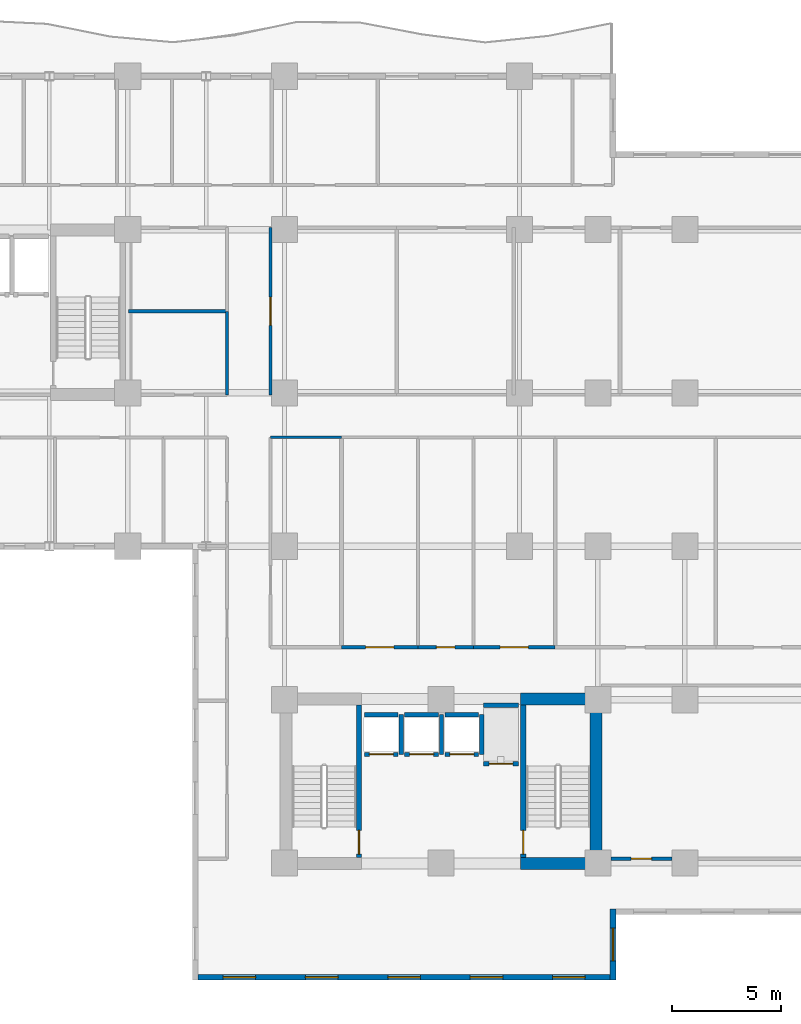
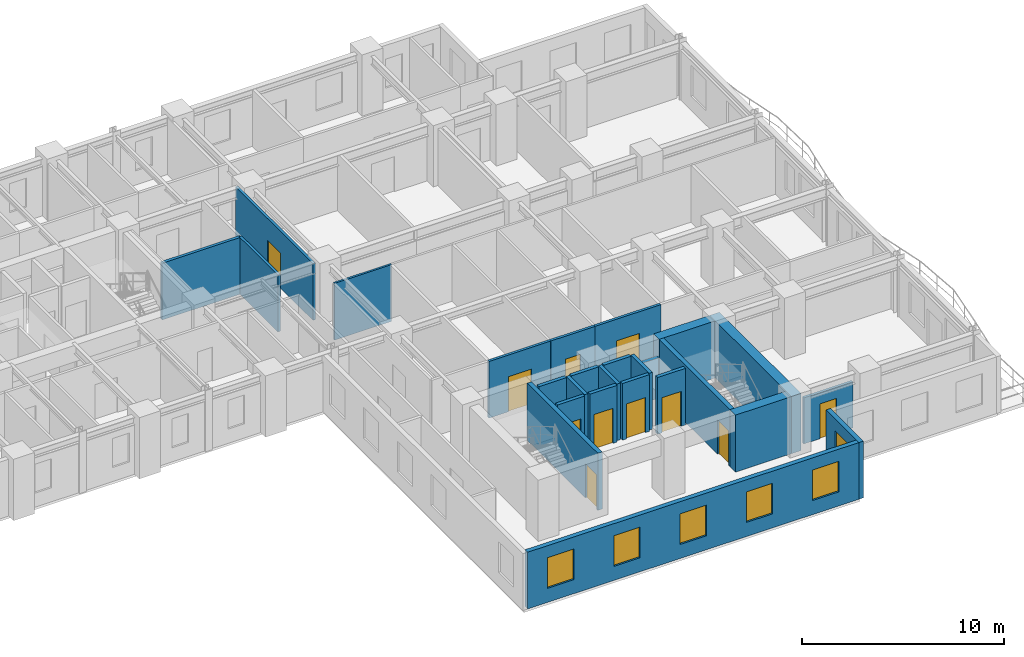
# One storey, part 10 of 18: 26 walls, 11 doors, 6 windows, 17 openings.
"""IFC4 building model written with IfcOpenShell, lengths in metres."""

import ifcopenshell
import ifcopenshell.guid

model = None  # the IFC model being written
_history = None  # IfcOwnerHistory: only IFC2X3 demands one
_inside = {}  # id of a spatial element -> (the spatial element, [elements in it])
_under = {}  # id of a project, library or spatial element -> (it, [spatial elements below it])
_declared = {}  # id of a project -> (the project, [libraries it declares])
_typed = {}  # id of a type object -> (the type object, [elements of that type])
_made_of = {}  # id of a material, layer set ... -> (it, [elements and type objects made of it])


def new_model(schema):
    """Start an empty IFC model of exactly this schema.

    Asked for "IFC4X3", IfcOpenShell would pick the latest addendum, in which some entities
    have other attributes; the version numbers below select the first issue.
    IFC2X3 requires an IfcOwnerHistory on every rooted entity: one is made here for all.
    """
    global model, _history
    if schema == "IFC4X3":
        model = ifcopenshell.file(schema_version=(4, 3, 0, 0))
    else:
        model = ifcopenshell.file(schema=schema)
    _inside.clear()
    _under.clear()
    _declared.clear()
    _typed.clear()
    _made_of.clear()
    _history = None
    if model.schema == "IFC2X3":
        org = make("IfcOrganization", Name="unknown")
        user = make(
            "IfcPersonAndOrganization",
            ThePerson=make("IfcPerson", FamilyName="unknown"),
            TheOrganization=org,
        )
        app = make(
            "IfcApplication",
            ApplicationDeveloper=org,
            Version="unknown",
            ApplicationFullName="unknown",
            ApplicationIdentifier="unknown",
        )
        _history = make(
            "IfcOwnerHistory",
            OwningUser=user,
            OwningApplication=app,
            ChangeAction="ADDED",
            CreationDate=0,
        )
    return model


def make(cls, **values):
    """One entity of the class cls with the attributes given. An attribute that is None is left unset."""
    return model.create_entity(
        cls, **{name: value for name, value in values.items() if value is not None}
    )


def rooted(cls, **values):
    """An entity with a GlobalId (a new one), such as an element, a storey or a relation."""
    return make(cls, GlobalId=ifcopenshell.guid.new(), OwnerHistory=_history, **values)


def si_unit(unit_type, name, prefix=None):
    """IfcSIUnit, for example si_unit("LENGTHUNIT", "METRE", prefix="MILLI")."""
    return make("IfcSIUnit", UnitType=unit_type, Prefix=prefix, Name=name)


def assignment(units):
    """IfcUnitAssignment: the units of a project."""
    return None if units is None else make("IfcUnitAssignment", Units=units)


def point(xyz):
    """IfcCartesianPoint."""
    return None if xyz is None else make("IfcCartesianPoint", Coordinates=xyz)


def direction(xyz):
    """IfcDirection."""
    return None if xyz is None else make("IfcDirection", DirectionRatios=xyz)


def frame(location, z_axis=None, x_axis=None):
    """IfcAxis2Placement3D, a coordinate frame: its origin and axes. An axis left out is left unset."""
    return make(
        "IfcAxis2Placement3D",
        Location=point(location),
        Axis=direction(z_axis),
        RefDirection=direction(x_axis),
    )


def frame_2d(location, x_axis=None):
    """IfcAxis2Placement2D, a coordinate frame in the plane: its origin and x axis."""
    return make(
        "IfcAxis2Placement2D", Location=point(location), RefDirection=direction(x_axis)
    )


def origin():
    """The frame at (0, 0, 0) with its axes left unset."""
    return frame((0.0, 0.0, 0.0))


def place(relative_to, where):
    """IfcLocalPlacement: puts the frame where relative to a parent placement (None: the world)."""
    return make(
        "IfcLocalPlacement", PlacementRelTo=relative_to, RelativePlacement=where
    )


def context(
    kind, dimensions, precision=None, world=None, true_north=None, identifier=None
):
    """IfcGeometricRepresentationContext, for example the 3D "Model" context."""
    return make(
        "IfcGeometricRepresentationContext",
        ContextIdentifier=identifier,
        ContextType=kind,
        CoordinateSpaceDimension=dimensions,
        Precision=precision,
        WorldCoordinateSystem=world,
        TrueNorth=true_north,
    )


def subcontext(parent, identifier, kind, view, scale=None):
    """IfcGeometricRepresentationSubContext, for example "Body" below "Model"."""
    return make(
        "IfcGeometricRepresentationSubContext",
        ContextIdentifier=identifier,
        ContextType=kind,
        ParentContext=parent,
        TargetScale=scale,
        TargetView=view,
    )


def project(units=None, contexts=None):
    """IfcProject with its units and contexts."""
    return rooted(
        "IfcProject",
        Name="project",
        RepresentationContexts=contexts,
        UnitsInContext=assignment(units),
    )


def spatial(cls, under=None, at=None, **own):
    """A site, building, storey or space (cls), placed at a placement, below another one or the project."""
    s = rooted(cls, ObjectPlacement=at, **own)
    if under is not None:
        _under.setdefault(under.id(), (under, []))[1].append(s)
    return s


def profile(cls, at=None, kind="AREA", **sizes):
    """A parametric profile (cls). Its sizes go by their IFC names, for example OverallWidth=200.0."""
    return make(cls, ProfileType=kind, Position=at, **sizes)


def rectangle(**sizes):
    """IfcRectangleProfileDef."""
    return profile("IfcRectangleProfileDef", **sizes)


def extrude(swept, where, along, depth):
    """IfcExtrudedAreaSolid: the profile swept, set in the frame where, extruded along a direction by depth."""
    return make(
        "IfcExtrudedAreaSolid",
        SweptArea=swept,
        Position=where,
        ExtrudedDirection=direction(along),
        Depth=depth,
    )


def shape(context_of_items, identifier, shape_type, items):
    """IfcShapeRepresentation: the items that make up one representation, for example the "Body"."""
    return make(
        "IfcShapeRepresentation",
        ContextOfItems=context_of_items,
        RepresentationIdentifier=identifier,
        RepresentationType=shape_type,
        Items=items,
    )


def material(Name=None, Category=None):
    """IfcMaterial."""
    return make("IfcMaterial", Name=Name, Category=Category)


def layer(
    of_material, thickness, ventilated=None, Name=None, Category=None, Priority=None
):
    """IfcMaterialLayer: one layer of a wall or slab, of a material (None: an air gap)."""
    return make(
        "IfcMaterialLayer",
        Material=of_material,
        LayerThickness=thickness,
        IsVentilated=ventilated,
        Name=Name,
        Category=Category,
        Priority=Priority,
    )


def layer_set(layers, Name=None):
    """IfcMaterialLayerSet."""
    return make("IfcMaterialLayerSet", MaterialLayers=layers, LayerSetName=Name)


def made_of(thing, what):
    """Note that an element or type object is made of a material, layer set ...; save() writes the relation."""
    if what is not None:
        _made_of.setdefault(what.id(), (what, []))[1].append(thing)
    return thing


def type_object(cls, material=None, **own):
    """A type object (cls), such as IfcWallType, which elements share."""
    return made_of(rooted(cls, **own), material)


def element(
    cls,
    number,
    at=None,
    inside=None,
    cuts=None,
    type_object=None,
    material=None,
    context=None,
    identifier="Body",
    shape_type=None,
    held_by="IfcProductDefinitionShape",
    body=None,
    shapes=None,
    **own,
):
    """One element of the class cls, such as IfcWall. Its Tag is "e" and its number.

    at: its placement. inside: the storey or other place that contains it. cuts: it is an
    opening in that element (IfcRelVoidsElement). A single representation is given by context,
    identifier, shape_type and body (its items); several are given by shapes. held_by: the class
    of the entity that holds the representations. save() writes the other relations.
    """
    e = rooted(cls, Tag="e%d" % number, ObjectPlacement=at, **own)
    if body is not None:
        shapes = [shape(context, identifier, shape_type, body)]
    if shapes is not None:
        e.Representation = make(held_by, Representations=shapes)
    if inside is not None:
        _inside.setdefault(inside.id(), (inside, []))[1].append(e)
    if cuts is not None:
        rooted(
            "IfcRelVoidsElement", RelatingBuildingElement=cuts, RelatedOpeningElement=e
        )
    if type_object is not None:
        _typed.setdefault(type_object.id(), (type_object, []))[1].append(e)
    return made_of(e, material)


def fill(opening, filler):
    """IfcRelFillsElement: the door or window that sits in an opening."""
    return rooted(
        "IfcRelFillsElement",
        RelatingOpeningElement=opening,
        RelatedBuildingElement=filler,
    )


def aggregate(whole, parts):
    """IfcRelAggregates: a whole, such as a stair, and the parts it consists of."""
    return rooted("IfcRelAggregates", RelatingObject=whole, RelatedObjects=parts)


def save(model, path):
    """Write the relations noted so far, then the file.

    IfcRelAggregates (storeys below a building ...), IfcRelContainedInSpatialStructure (elements
    in a storey), IfcRelDefinesByType, IfcRelAssociatesMaterial and IfcRelDeclares: one each for
    every whole, place, type object, material and project.
    """
    for whole, parts in _under.values():
        aggregate(whole, parts)
    for where, things in _inside.values():
        rooted(
            "IfcRelContainedInSpatialStructure",
            RelatedElements=things,
            RelatingStructure=where,
        )
    for kind, things in _typed.values():
        rooted("IfcRelDefinesByType", RelatedObjects=things, RelatingType=kind)
    for what, things in _made_of.values():
        rooted("IfcRelAssociatesMaterial", RelatedObjects=things, RelatingMaterial=what)
    for by, libraries in _declared.values():
        rooted("IfcRelDeclares", RelatingContext=by, RelatedDefinitions=libraries)
    model.write(path)


model = new_model("IFC4")

# Units and contexts
model_context = context("Model", 3, precision=1e-05, world=origin(), true_north=direction((0.0, 1.0)))
body_context = subcontext(model_context, "Body", "Model", "MODEL_VIEW")
ifc_project = project(units=[si_unit("LENGTHUNIT", "METRE"), si_unit("AREAUNIT", "SQUARE_METRE"), si_unit("VOLUMEUNIT", "CUBIC_METRE"), si_unit("PLANEANGLEUNIT", "RADIAN"), si_unit("MASSUNIT", "GRAM", prefix="KILO")], contexts=[model_context])

# Site, building, storey
site_placement = place(None, origin())
site = spatial("IfcSite", under=ifc_project, at=site_placement, CompositionType="ELEMENT")
building_placement = place(site_placement, origin())
building = spatial("IfcBuilding", under=site, at=building_placement, Name="Kaliganga Portal Commons", CompositionType="ELEMENT")
storey_placement = place(building_placement, frame((0.0, 0.0, 123.0)))
storey = spatial("IfcBuildingStorey", under=building, at=storey_placement, Name="L31", CompositionType="ELEMENT", Elevation=123.0)

# Walls
ifc_material_1 = material(Name="Concrete C60/75", Category="concrete")
ifc_layer_1 = layer(ifc_material_1, 0.550048828125)
ifc_layer_set_1 = layer_set([ifc_layer_1], Name="Concrete C60/75")
wall_type_1 = type_object("IfcWallType", Name="WL-CORE-550", PredefinedType="SHEAR", material=ifc_layer_set_1)
wall_1_placement = place(storey_placement, frame((50.324951171875, 6.75, 0.0), z_axis=(0.0, 0.0, 1.0), x_axis=(0.0, 1.0, 0.0)))
element("IfcWall", 1, at=wall_1_placement, inside=storey, type_object=wall_type_1, Name="Core B East Shear Wall L31", PredefinedType="SHEAR", context=body_context, shape_type="SweptSolid", body=[
    extrude(rectangle(XDim=8.10009765625, YDim=0.550048828125, at=frame_2d((4.050048828125, 0.0))), origin(), (0.0, 0.0, 1.0), 3.449951171875),
])
for number, where, z_axis, x_axis, name in (
    (2, (46.85009765625, 7.02490234375, 0.0), (0.0, 0.0, 1.0), (1.0, 0.0, 0.0), "Core B S-East Shear Wall L31"),
    (3, (46.85009765625, 14.574951171875, 0.0), (0.0, 0.0, 1.0), (1.0, 0.0, 0.0), "Core B N-East Shear Wall L31"),
):
    element("IfcWall", number, at=place(storey_placement, frame(where, z_axis=z_axis, x_axis=x_axis)), inside=storey, type_object=wall_type_1, Name=name, PredefinedType="SHEAR", context=body_context, shape_type="SweptSolid", body=[
        extrude(rectangle(XDim=3.199951171875, YDim=0.550048828125, at=frame_2d((1.60009765625, 0.0))), origin(), (0.0, 0.0, 1.0), 3.449951171875),
    ])

# Wall, openings, windows
ifc_material_2 = material(Name="Insulated Aluminium-Clad Spandrel Assembly", Category="aluminium")
ifc_layer_2 = layer(ifc_material_2, 0.260009765625)
ifc_layer_set_2 = layer_set([ifc_layer_2], Name="Insulated Aluminium-Clad Spandrel Assembly")
wall_type_2 = type_object("IfcWallType", Name="WL-EXT-SPAND-260", PredefinedType="STANDARD", material=ifc_layer_set_2)
wall_2_placement = place(storey_placement, frame((50.965087890625, 1.800048828125, 0.0), z_axis=(0.0, 0.0, 1.0), x_axis=(-1.0, 0.0, 0.0)))
wall_2 = element("IfcWall", 4, at=wall_2_placement, inside=storey, type_object=wall_type_2, Name="Exterior Envelope Wall L31 P1-E00-S1", PredefinedType="STANDARD", context=body_context, shape_type="SweptSolid", body=[
    extrude(rectangle(XDim=18.93017578125, YDim=0.260009765625, at=frame_2d((9.465087890625, 0.0))), origin(), (0.0, 0.0, 1.0), 3.429931640625),
])
opening_1_placement = place(wall_2_placement, frame((1.14306640625, 0.0, 0.85009765625)))
opening_1 = element("IfcOpeningElement", 5, at=opening_1_placement, cuts=wall_2, Name="Opening W-02", PredefinedType="OPENING", context=body_context, shape_type="SweptSolid", body=[
    extrude(rectangle(XDim=1.5, YDim=1.85009765625, at=frame_2d((0.75, 0.925048828125))), frame((0.0, 0.14013671875, 0.0), z_axis=(0.0, -1.0, 0.0), x_axis=(1.0, 0.0, 0.0)), (0.0, 0.0, 1.0), 0.280029296875),
])
opening_2_placement = place(wall_2_placement, frame((4.928955078125, 0.0, 0.85009765625)))
opening_2 = element("IfcOpeningElement", 6, at=opening_2_placement, cuts=wall_2, Name="Opening W-02", PredefinedType="OPENING", context=body_context, shape_type="SweptSolid", body=[
    extrude(rectangle(XDim=1.5, YDim=1.85009765625, at=frame_2d((0.75, 0.925048828125))), frame((0.0, 0.14013671875, 0.0), z_axis=(0.0, -1.0, 0.0), x_axis=(1.0, 0.0, 0.0)), (0.0, 0.0, 1.0), 0.280029296875),
])
opening_3_placement = place(wall_2_placement, frame((8.715087890625, 0.0, 0.85009765625)))
opening_3 = element("IfcOpeningElement", 7, at=opening_3_placement, cuts=wall_2, Name="Opening W-02", PredefinedType="OPENING", context=body_context, shape_type="SweptSolid", body=[
    extrude(rectangle(XDim=1.5, YDim=1.85009765625, at=frame_2d((0.75, 0.925048828125))), frame((0.0, 0.14013671875, 0.0), z_axis=(0.0, -1.0, 0.0), x_axis=(1.0, 0.0, 0.0)), (0.0, 0.0, 1.0), 0.280029296875),
])
opening_4_placement = place(wall_2_placement, frame((12.5009765625, 0.0, 0.85009765625)))
opening_4 = element("IfcOpeningElement", 8, at=opening_4_placement, cuts=wall_2, Name="Opening W-02", PredefinedType="OPENING", context=body_context, shape_type="SweptSolid", body=[
    extrude(rectangle(XDim=1.5, YDim=1.85009765625, at=frame_2d((0.75, 0.925048828125))), frame((0.0, 0.14013671875, 0.0), z_axis=(0.0, -1.0, 0.0), x_axis=(1.0, 0.0, 0.0)), (0.0, 0.0, 1.0), 0.280029296875),
])
opening_5_placement = place(wall_2_placement, frame((16.287109375, 0.0, 0.85009765625)))
opening_5 = element("IfcOpeningElement", 9, at=opening_5_placement, cuts=wall_2, Name="Opening W-02", PredefinedType="OPENING", context=body_context, shape_type="SweptSolid", body=[
    extrude(rectangle(XDim=1.5, YDim=1.85009765625, at=frame_2d((0.75, 0.925048828125))), frame((0.0, 0.14013671875, 0.0), z_axis=(0.0, -1.0, 0.0), x_axis=(1.0, 0.0, 0.0)), (0.0, 0.0, 1.0), 0.280029296875),
])
ifc_material_3 = material(Name="Thermally Broken Aluminium and Low-E Double Glazing", Category="aluminium")
window_type = type_object("IfcWindowType", Name="WIN-STD-1500", PartitioningType="DOUBLE_PANEL_VERTICAL", PredefinedType="WINDOW", material=ifc_material_3)
window_1_placement = place(opening_1_placement, origin())
window_1 = element("IfcWindow", 10, at=window_1_placement, inside=storey, type_object=window_type, Name="Facade Window L31-P1E00S1-00", OverallHeight=1.85009765625, OverallWidth=1.5, PartitioningType="SINGLE_PANEL", PredefinedType="WINDOW", context=body_context, shape_type="SweptSolid", body=[
    extrude(rectangle(XDim=1.5, YDim=1.85009765625, at=frame_2d((0.75, 0.925048828125))), frame((0.0, 0.030029296875, 0.0), z_axis=(0.0, -1.0, 0.0), x_axis=(1.0, 0.0, 0.0)), (0.0, 0.0, 1.0), 0.06005859375),
])
fill(opening_1, window_1)
window_2_placement = place(opening_2_placement, origin())
window_2 = element("IfcWindow", 11, at=window_2_placement, inside=storey, type_object=window_type, Name="Facade Window L31-P1E00S1-01", OverallHeight=1.85009765625, OverallWidth=1.5, PartitioningType="SINGLE_PANEL", PredefinedType="WINDOW", context=body_context, shape_type="SweptSolid", body=[
    extrude(rectangle(XDim=1.5, YDim=1.85009765625, at=frame_2d((0.75, 0.925048828125))), frame((0.0, 0.030029296875, 0.0), z_axis=(0.0, -1.0, 0.0), x_axis=(1.0, 0.0, 0.0)), (0.0, 0.0, 1.0), 0.06005859375),
])
fill(opening_2, window_2)
window_3_placement = place(opening_3_placement, origin())
window_3 = element("IfcWindow", 12, at=window_3_placement, inside=storey, type_object=window_type, Name="Facade Window L31-P1E00S1-02", OverallHeight=1.85009765625, OverallWidth=1.5, PartitioningType="SINGLE_PANEL", PredefinedType="WINDOW", context=body_context, shape_type="SweptSolid", body=[
    extrude(rectangle(XDim=1.5, YDim=1.85009765625, at=frame_2d((0.75, 0.925048828125))), frame((0.0, 0.030029296875, 0.0), z_axis=(0.0, -1.0, 0.0), x_axis=(1.0, 0.0, 0.0)), (0.0, 0.0, 1.0), 0.06005859375),
])
fill(opening_3, window_3)
window_4_placement = place(opening_4_placement, origin())
window_4 = element("IfcWindow", 13, at=window_4_placement, inside=storey, type_object=window_type, Name="Facade Window L31-P1E00S1-03", OverallHeight=1.85009765625, OverallWidth=1.5, PartitioningType="SINGLE_PANEL", PredefinedType="WINDOW", context=body_context, shape_type="SweptSolid", body=[
    extrude(rectangle(XDim=1.5, YDim=1.85009765625, at=frame_2d((0.75, 0.925048828125))), frame((0.0, 0.030029296875, 0.0), z_axis=(0.0, -1.0, 0.0), x_axis=(1.0, 0.0, 0.0)), (0.0, 0.0, 1.0), 0.06005859375),
])
fill(opening_4, window_4)
window_5_placement = place(opening_5_placement, origin())
window_5 = element("IfcWindow", 14, at=window_5_placement, inside=storey, type_object=window_type, Name="Facade Window L31-P1E00S1-04", OverallHeight=1.85009765625, OverallWidth=1.5, PartitioningType="SINGLE_PANEL", PredefinedType="WINDOW", context=body_context, shape_type="SweptSolid", body=[
    extrude(rectangle(XDim=1.5, YDim=1.85009765625, at=frame_2d((0.75, 0.925048828125))), frame((0.0, 0.030029296875, 0.0), z_axis=(0.0, -1.0, 0.0), x_axis=(1.0, 0.0, 0.0)), (0.0, 0.0, 1.0), 0.06005859375),
])
fill(opening_5, window_5)

# Wall, opening, window
wall_3_placement = place(storey_placement, frame((51.10009765625, 4.929931640625, 0.0), z_axis=(0.0, 0.0, 1.0), x_axis=(0.0, -1.0, 0.0)))
wall_3 = element("IfcWall", 15, at=wall_3_placement, inside=storey, type_object=wall_type_2, Name="Exterior Envelope Wall L31 P1-E01-S1", PredefinedType="STANDARD", context=body_context, shape_type="SweptSolid", body=[
    extrude(rectangle(XDim=3.260009765625, YDim=0.260009765625, at=frame_2d((1.6298828125, 0.0))), origin(), (0.0, 0.0, 1.0), 3.429931640625),
])
opening_6_placement = place(wall_3_placement, frame((0.8798828125, 0.0, 0.85009765625)))
opening_6 = element("IfcOpeningElement", 16, at=opening_6_placement, cuts=wall_3, Name="Opening W-02", PredefinedType="OPENING", context=body_context, shape_type="SweptSolid", body=[
    extrude(rectangle(XDim=1.5, YDim=1.85009765625, at=frame_2d((0.75, 0.925048828125))), frame((0.0, 0.14013671875, 0.0), z_axis=(0.0, -1.0, 0.0), x_axis=(1.0, 0.0, 0.0)), (0.0, 0.0, 1.0), 0.280029296875),
])
window_6_placement = place(opening_6_placement, origin())
window_6 = element("IfcWindow", 17, at=window_6_placement, inside=storey, type_object=window_type, Name="Facade Window L31-P1E01S1-00", OverallHeight=1.85009765625, OverallWidth=1.5, PartitioningType="SINGLE_PANEL", PredefinedType="WINDOW", context=body_context, shape_type="SweptSolid", body=[
    extrude(rectangle(XDim=1.5, YDim=1.85009765625, at=frame_2d((0.75, 0.925048828125))), frame((0.0, 0.030029296875, 0.0), z_axis=(0.0, -1.0, 0.0), x_axis=(1.0, 0.0, 0.0)), (0.0, 0.0, 1.0), 0.06005859375),
])
fill(opening_6, window_6)

# Wall, opening, door
ifc_material_4 = material(Name="Fire-Rated Gypsum Board on Steel Stud", Category="steel")
ifc_layer_3 = layer(ifc_material_4, 0.14990234375)
ifc_layer_set_3 = layer_set([ifc_layer_3], Name="Fire-Rated Gypsum Board on Steel Stud")
wall_type_3 = type_object("IfcWallType", Name="WL-PART-CORR-150", PredefinedType="PARTITIONING", material=ifc_layer_set_3)
wall_4_placement = place(storey_placement, frame((51.0, 7.239990234375, 0.0), z_axis=(0.0, 0.0, 1.0), x_axis=(1.0, 0.0, 0.0)))
wall_4 = element("IfcWall", 18, at=wall_4_placement, inside=storey, type_object=wall_type_3, Name="Interior Partition L31-001", PredefinedType="PARTITIONING", context=body_context, shape_type="SweptSolid", body=[
    extrude(rectangle(XDim=2.800048828125, YDim=0.14990234375, at=frame_2d((1.39990234375, 0.0))), origin(), (0.0, 0.0, 1.0), 2.780029296875),
])
opening_7_placement = place(wall_4_placement, frame((0.925048828125, 0.0, 0.0)))
opening_7 = element("IfcOpeningElement", 19, at=opening_7_placement, cuts=wall_4, Name="Opening UD-01", PredefinedType="OPENING", context=body_context, shape_type="SweptSolid", body=[
    extrude(rectangle(XDim=0.949951171875, YDim=2.10009765625, at=frame_2d((0.47509765625, 1.050048828125))), frame((0.0, 0.0849609375, 0.0), z_axis=(0.0, -1.0, 0.0), x_axis=(1.0, 0.0, 0.0)), (0.0, 0.0, 1.0), 0.169921875),
])
ifc_material_5 = material(Name="Solid-Core Timber Acoustic Fire Door", Category="wood")
door_type_1 = type_object("IfcDoorType", Name="DR-UNIT-950", OperationType="NOTDEFINED", PredefinedType="DOOR", material=ifc_material_5)
door_1_placement = place(opening_7_placement, origin())
door_1 = element("IfcDoor", 20, at=door_1_placement, inside=storey, type_object=door_type_1, Name="Interior Door L31-BE01", OperationType="SINGLE_SWING_LEFT", OverallHeight=2.10009765625, OverallWidth=0.949951171875, PredefinedType="DOOR", context=body_context, shape_type="SweptSolid", body=[
    extrude(rectangle(XDim=0.949951171875, YDim=2.10009765625, at=frame_2d((0.47509765625, 1.050048828125))), frame((0.0, 0.02490234375, 0.0), z_axis=(0.0, -1.0, 0.0), x_axis=(1.0, 0.0, 0.0)), (0.0, 0.0, 1.0), 0.050048828125),
])
fill(opening_7, door_1)

wall_5_placement = place(storey_placement, frame((35.360107421875, 28.56005859375, 0.0), z_axis=(0.0, 0.0, 1.0), x_axis=(0.0, 1.0, 0.0)))
wall_5 = element("IfcWall", 21, at=wall_5_placement, inside=storey, type_object=wall_type_3, Name="Interior Partition L31-008", PredefinedType="PARTITIONING", context=body_context, shape_type="SweptSolid", body=[
    extrude(rectangle(XDim=7.679931640625, YDim=0.14990234375, at=frame_2d((3.83984375, 0.0))), origin(), (0.0, 0.0, 1.0), 3.429931640625),
])
opening_8_placement = place(wall_5_placement, frame((3.18994140625, 0.0, 0.0)))
opening_8 = element("IfcOpeningElement", 22, at=opening_8_placement, cuts=wall_5, Name="Opening RD-03", PredefinedType="OPENING", context=body_context, shape_type="SweptSolid", body=[
    extrude(rectangle(XDim=1.300048828125, YDim=2.1201171875, at=frame_2d((0.64990234375, 1.06005859375))), frame((0.0, 0.0849609375, 0.0), z_axis=(0.0, -1.0, 0.0), x_axis=(1.0, 0.0, 0.0)), (0.0, 0.0, 1.0), 0.169921875),
])
ifc_material_6 = material(Name="Glazed Timber Seminar Vision Door", Category="wood")
door_type_2 = type_object("IfcDoorType", Name="DR-STUDY-1300", OperationType="DOUBLE_DOOR_SINGLE_SWING", PredefinedType="DOOR", material=ifc_material_6)
door_2_placement = place(opening_8_placement, origin())
door_2 = element("IfcDoor", 23, at=door_2_placement, inside=storey, type_object=door_type_2, Name="Interior Door L31-BK01", OperationType="DOUBLE_DOOR_SINGLE_SWING", OverallHeight=2.1201171875, OverallWidth=1.300048828125, PredefinedType="DOOR", context=body_context, shape_type="SweptSolid", body=[
    extrude(rectangle(XDim=1.300048828125, YDim=2.1201171875, at=frame_2d((0.64990234375, 1.06005859375))), frame((0.0, 0.02490234375, 0.0), z_axis=(0.0, -1.0, 0.0), x_axis=(1.0, 0.0, 0.0)), (0.0, 0.0, 1.0), 0.050048828125),
])
fill(opening_8, door_2)

# Wall
wall_6_placement = place(storey_placement, frame((33.360107421875, 28.56005859375, 0.0), z_axis=(0.0, 0.0, 1.0), x_axis=(0.0, 1.0, 0.0)))
element("IfcWall", 24, at=wall_6_placement, inside=storey, type_object=wall_type_3, Name="Interior Partition L31-029", PredefinedType="PARTITIONING", context=body_context, shape_type="SweptSolid", body=[
    extrude(rectangle(XDim=3.83984375, YDim=0.14990234375, at=frame_2d((1.919921875, 0.0))), origin(), (0.0, 0.0, 1.0), 3.429931640625),
])

# Wall, opening, door
wall_7_placement = place(storey_placement, frame((44.679931640625, 16.9599609375, 0.0), z_axis=(0.0, 0.0, 1.0), x_axis=(1.0, 0.0, 0.0)))
wall_7 = element("IfcWall", 25, at=wall_7_placement, inside=storey, type_object=wall_type_3, Name="Interior Partition L31-030", PredefinedType="PARTITIONING", context=body_context, shape_type="SweptSolid", body=[
    extrude(rectangle(XDim=3.760009765625, YDim=0.14990234375, at=frame_2d((1.8798828125, 0.0))), origin(), (0.0, 0.0, 1.0), 3.429931640625),
])
opening_9_placement = place(wall_7_placement, frame((1.22998046875, 0.0, 0.0)))
opening_9 = element("IfcOpeningElement", 26, at=opening_9_placement, cuts=wall_7, Name="Opening RD-03", PredefinedType="OPENING", context=body_context, shape_type="SweptSolid", body=[
    extrude(rectangle(XDim=1.300048828125, YDim=2.1201171875, at=frame_2d((0.64990234375, 1.06005859375))), frame((0.0, 0.0849609375, 0.0), z_axis=(0.0, -1.0, 0.0), x_axis=(1.0, 0.0, 0.0)), (0.0, 0.0, 1.0), 0.169921875),
])
door_3_placement = place(opening_9_placement, origin())
door_3 = element("IfcDoor", 27, at=door_3_placement, inside=storey, type_object=door_type_2, Name="Interior Door L31-BM04", OperationType="DOUBLE_DOOR_SINGLE_SWING", OverallHeight=2.1201171875, OverallWidth=1.300048828125, PredefinedType="DOOR", context=body_context, shape_type="SweptSolid", body=[
    extrude(rectangle(XDim=1.300048828125, YDim=2.1201171875, at=frame_2d((0.64990234375, 1.06005859375))), frame((0.0, 0.02490234375, 0.0), z_axis=(0.0, -1.0, 0.0), x_axis=(1.0, 0.0, 0.0)), (0.0, 0.0, 1.0), 0.050048828125),
])
fill(opening_9, door_3)

wall_8_placement = place(storey_placement, frame((38.6201171875, 16.9599609375, 0.0), z_axis=(0.0, 0.0, 1.0), x_axis=(1.0, 0.0, 0.0)))
wall_8 = element("IfcWall", 28, at=wall_8_placement, inside=storey, type_object=wall_type_3, Name="Interior Partition L31-032", PredefinedType="PARTITIONING", context=body_context, shape_type="SweptSolid", body=[
    extrude(rectangle(XDim=3.519775390625, YDim=0.14990234375, at=frame_2d((1.759765625, 0.0))), origin(), (0.0, 0.0, 1.0), 3.429931640625),
])
opening_10_placement = place(wall_8_placement, frame((1.110107421875, 0.0, 0.0)))
opening_10 = element("IfcOpeningElement", 29, at=opening_10_placement, cuts=wall_8, Name="Opening RD-03", PredefinedType="OPENING", context=body_context, shape_type="SweptSolid", body=[
    extrude(rectangle(XDim=1.300048828125, YDim=2.1201171875, at=frame_2d((0.64990234375, 1.06005859375))), frame((0.0, 0.0849609375, 0.0), z_axis=(0.0, -1.0, 0.0), x_axis=(1.0, 0.0, 0.0)), (0.0, 0.0, 1.0), 0.169921875),
])
door_4_placement = place(opening_10_placement, origin())
door_4 = element("IfcDoor", 30, at=door_4_placement, inside=storey, type_object=door_type_2, Name="Interior Door L31-BM02", OperationType="DOUBLE_DOOR_SINGLE_SWING", OverallHeight=2.1201171875, OverallWidth=1.300048828125, PredefinedType="DOOR", context=body_context, shape_type="SweptSolid", body=[
    extrude(rectangle(XDim=1.300048828125, YDim=2.1201171875, at=frame_2d((0.64990234375, 1.06005859375))), frame((0.0, 0.02490234375, 0.0), z_axis=(0.0, -1.0, 0.0), x_axis=(1.0, 0.0, 0.0)), (0.0, 0.0, 1.0), 0.050048828125),
])
fill(opening_10, door_4)

wall_9_placement = place(storey_placement, frame((42.139892578125, 16.9599609375, 0.0), z_axis=(0.0, 0.0, 1.0), x_axis=(1.0, 0.0, 0.0)))
wall_9 = element("IfcWall", 31, at=wall_9_placement, inside=storey, type_object=wall_type_3, Name="Interior Partition L31-037", PredefinedType="PARTITIONING", context=body_context, shape_type="SweptSolid", body=[
    extrude(rectangle(XDim=2.5400390625, YDim=0.14990234375, at=frame_2d((1.27001953125, 0.0))), origin(), (0.0, 0.0, 1.0), 3.429931640625),
])
opening_11_placement = place(wall_9_placement, frame((0.844970703125, 0.0, 0.0)))
opening_11 = element("IfcOpeningElement", 32, at=opening_11_placement, cuts=wall_9, Name="Opening WD-01", PredefinedType="OPENING", context=body_context, shape_type="SweptSolid", body=[
    extrude(rectangle(XDim=0.85009765625, YDim=2.0400390625, at=frame_2d((0.425048828125, 1.02001953125))), frame((0.0, 0.0849609375, 0.0), z_axis=(0.0, -1.0, 0.0), x_axis=(1.0, 0.0, 0.0)), (0.0, 0.0, 1.0), 0.169921875),
])
ifc_material_7 = material(Name="Moisture-Resistant Laminate Timber Door", Category="wood")
door_type_3 = type_object("IfcDoorType", Name="DR-WET-850", OperationType="NOTDEFINED", PredefinedType="DOOR", material=ifc_material_7)
door_5_placement = place(opening_11_placement, origin())
door_5 = element("IfcDoor", 33, at=door_5_placement, inside=storey, type_object=door_type_3, Name="Interior Door L31-BM03", OperationType="SINGLE_SWING_RIGHT", OverallHeight=2.0400390625, OverallWidth=0.85009765625, PredefinedType="DOOR", context=body_context, shape_type="SweptSolid", body=[
    extrude(rectangle(XDim=0.85009765625, YDim=2.0400390625, at=frame_2d((0.425048828125, 1.02001953125))), frame((0.0, 0.02490234375, 0.0), z_axis=(0.0, -1.0, 0.0), x_axis=(1.0, 0.0, 0.0)), (0.0, 0.0, 1.0), 0.050048828125),
])
fill(opening_11, door_5)

# Walls
ifc_material_8 = material(Name="Moisture-Resistant Gypsum Partition", Category="gypsum")
ifc_layer_4 = layer(ifc_material_8, 0.114990234375)
ifc_layer_set_4 = layer_set([ifc_layer_4], Name="Moisture-Resistant Gypsum Partition")
wall_type_4 = type_object("IfcWallType", Name="WL-PART-ROOM-115", PredefinedType="PARTITIONING", material=ifc_layer_set_4)
wall_10_placement = place(storey_placement, frame((35.360107421875, 26.60009765625, 0.0), z_axis=(0.0, 0.0, 1.0), x_axis=(1.0, 0.0, 0.0)))
element("IfcWall", 34, at=wall_10_placement, inside=storey, type_object=wall_type_4, Name="Interior Partition L31-078", PredefinedType="PARTITIONING", context=body_context, shape_type="SweptSolid", body=[
    extrude(rectangle(XDim=3.260009765625, YDim=0.114990234375, at=frame_2d((1.6298828125, 0.0))), origin(), (0.0, 0.0, 1.0), 3.429931640625),
])
ifc_material_9 = material(Name="Twin-Stud Acoustic Gypsum Partition", Category="gypsum")
ifc_layer_5 = layer(ifc_material_9, 0.1650390625)
ifc_layer_set_5 = layer_set([ifc_layer_5], Name="Twin-Stud Acoustic Gypsum Partition")
wall_type_5 = type_object("IfcWallType", Name="WL-PART-UNIT-165", PredefinedType="PARTITIONING", material=ifc_layer_set_5)
wall_11_placement = place(storey_placement, frame((28.840087890625, 32.39990234375, 0.0), z_axis=(0.0, 0.0, 1.0), x_axis=(1.0, 0.0, 0.0)))
element("IfcWall", 35, at=wall_11_placement, inside=storey, type_object=wall_type_5, Name="Interior Partition L31-074", PredefinedType="PARTITIONING", context=body_context, shape_type="SweptSolid", body=[
    extrude(rectangle(XDim=4.52001953125, YDim=0.1650390625, at=frame_2d((2.260009765625, 0.0))), origin(), (0.0, 0.0, 1.0), 3.429931640625),
])

# Wall, opening, door
ifc_material_10 = material(Name="Fire-Rated Shaftwall Masonry Assembly", Category="masonry")
ifc_layer_6 = layer(ifc_material_10, 0.199951171875)
ifc_layer_set_6 = layer_set([ifc_layer_6], Name="Fire-Rated Shaftwall Masonry Assembly")
wall_type_6 = type_object("IfcWallType", Name="WL-SHAFT-200", PredefinedType="PARTITIONING", material=ifc_layer_set_6)
wall_12_placement = place(storey_placement, frame((39.675048828125, 12.034912109375, 0.0), z_axis=(0.0, 0.0, 1.0), x_axis=(1.0, 0.0, 0.0)))
wall_12 = element("IfcWall", 36, at=wall_12_placement, inside=storey, type_object=wall_type_6, Name="Lift PL-B1 Hoistway Shaft Wall L31-S", PredefinedType="PARTITIONING", context=body_context, shape_type="SweptSolid", body=[
    extrude(rectangle(XDim=1.550048828125, YDim=0.199951171875, at=frame_2d((0.77490234375, 0.0))), origin(), (0.0, 0.0, 1.0), 3.429931640625),
])
opening_12_placement = place(wall_12_placement, frame((0.22509765625, 0.0, 0.0)))
opening_12 = element("IfcOpeningElement", 37, at=opening_12_placement, cuts=wall_12, Name="Opening LD-01", PredefinedType="OPENING", context=body_context, shape_type="SweptSolid", body=[
    extrude(rectangle(XDim=1.10009765625, YDim=2.1201171875, at=frame_2d((0.550048828125, 1.06005859375))), frame((0.0, 0.10986328125, 0.0), z_axis=(0.0, -1.0, 0.0), x_axis=(1.0, 0.0, 0.0)), (0.0, 0.0, 1.0), 0.219970703125),
])
ifc_material_11 = material(Name="Brushed Stainless Steel 316 Lift Landing Door", Category="steel")
door_type_4 = type_object("IfcDoorType", Name="DR-LIFT-1100", OperationType="SLIDING_TO_LEFT", PredefinedType="DOOR", material=ifc_material_11)
door_6_placement = place(opening_12_placement, origin())
door_6 = element("IfcDoor", 38, at=door_6_placement, inside=storey, type_object=door_type_4, Name="Lift PL-B1 Sliding Landing Door L31", OperationType="SLIDING_TO_LEFT", OverallHeight=2.1201171875, OverallWidth=1.10009765625, PredefinedType="DOOR", context=body_context, shape_type="SweptSolid", body=[
    extrude(rectangle(XDim=1.10009765625, YDim=2.1201171875, at=frame_2d((0.550048828125, 1.06005859375))), frame((0.0, 0.02490234375, 0.0), z_axis=(0.0, -1.0, 0.0), x_axis=(1.0, 0.0, 0.0)), (0.0, 0.0, 1.0), 0.050048828125),
])
fill(opening_12, door_6)

# Walls
wall_13_placement = place(storey_placement, frame((39.675048828125, 13.864990234375, 0.0), z_axis=(0.0, 0.0, 1.0), x_axis=(1.0, 0.0, 0.0)))
element("IfcWall", 39, at=wall_13_placement, inside=storey, type_object=wall_type_6, Name="Lift PL-B1 Hoistway Shaft Wall L31-N", PredefinedType="PARTITIONING", context=body_context, shape_type="SweptSolid", body=[
    extrude(rectangle(XDim=1.550048828125, YDim=0.199951171875, at=frame_2d((0.77490234375, 0.0))), origin(), (0.0, 0.0, 1.0), 3.429931640625),
])
wall_14_placement = place(storey_placement, frame((41.364990234375, 12.034912109375, 0.0), z_axis=(0.0, 0.0, 1.0), x_axis=(0.0, 1.0, 0.0)))
element("IfcWall", 40, at=wall_14_placement, inside=storey, type_object=wall_type_6, Name="Lift PL-B1 Hoistway Shaft Wall L31-E", PredefinedType="PARTITIONING", context=body_context, shape_type="SweptSolid", body=[
    extrude(rectangle(XDim=1.830078125, YDim=0.199951171875, at=frame_2d((0.9150390625, 0.0))), origin(), (0.0, 0.0, 1.0), 3.429931640625),
])

# Wall, opening, door
wall_15_placement = place(storey_placement, frame((41.52490234375, 12.034912109375, 0.0), z_axis=(0.0, 0.0, 1.0), x_axis=(1.0, 0.0, 0.0)))
wall_15 = element("IfcWall", 41, at=wall_15_placement, inside=storey, type_object=wall_type_6, Name="Lift PL-B2 Hoistway Shaft Wall L31-S", PredefinedType="PARTITIONING", context=body_context, shape_type="SweptSolid", body=[
    extrude(rectangle(XDim=1.550048828125, YDim=0.199951171875, at=frame_2d((0.77490234375, 0.0))), origin(), (0.0, 0.0, 1.0), 3.429931640625),
])
opening_13_placement = place(wall_15_placement, frame((0.22509765625, 0.0, 0.0)))
opening_13 = element("IfcOpeningElement", 42, at=opening_13_placement, cuts=wall_15, Name="Opening LD-01", PredefinedType="OPENING", context=body_context, shape_type="SweptSolid", body=[
    extrude(rectangle(XDim=1.10009765625, YDim=2.1201171875, at=frame_2d((0.550048828125, 1.06005859375))), frame((0.0, 0.10986328125, 0.0), z_axis=(0.0, -1.0, 0.0), x_axis=(1.0, 0.0, 0.0)), (0.0, 0.0, 1.0), 0.219970703125),
])
door_7_placement = place(opening_13_placement, origin())
door_7 = element("IfcDoor", 43, at=door_7_placement, inside=storey, type_object=door_type_4, Name="Lift PL-B2 Sliding Landing Door L31", OperationType="SLIDING_TO_LEFT", OverallHeight=2.1201171875, OverallWidth=1.10009765625, PredefinedType="DOOR", context=body_context, shape_type="SweptSolid", body=[
    extrude(rectangle(XDim=1.10009765625, YDim=2.1201171875, at=frame_2d((0.550048828125, 1.06005859375))), frame((0.0, 0.02490234375, 0.0), z_axis=(0.0, -1.0, 0.0), x_axis=(1.0, 0.0, 0.0)), (0.0, 0.0, 1.0), 0.050048828125),
])
fill(opening_13, door_7)

# Walls
wall_16_placement = place(storey_placement, frame((41.52490234375, 13.864990234375, 0.0), z_axis=(0.0, 0.0, 1.0), x_axis=(1.0, 0.0, 0.0)))
element("IfcWall", 44, at=wall_16_placement, inside=storey, type_object=wall_type_6, Name="Lift PL-B2 Hoistway Shaft Wall L31-N", PredefinedType="PARTITIONING", context=body_context, shape_type="SweptSolid", body=[
    extrude(rectangle(XDim=1.550048828125, YDim=0.199951171875, at=frame_2d((0.77490234375, 0.0))), origin(), (0.0, 0.0, 1.0), 3.429931640625),
])
wall_17_placement = place(storey_placement, frame((43.215087890625, 12.034912109375, 0.0), z_axis=(0.0, 0.0, 1.0), x_axis=(0.0, 1.0, 0.0)))
element("IfcWall", 45, at=wall_17_placement, inside=storey, type_object=wall_type_6, Name="Lift PL-B2 Hoistway Shaft Wall L31-E", PredefinedType="PARTITIONING", context=body_context, shape_type="SweptSolid", body=[
    extrude(rectangle(XDim=1.830078125, YDim=0.199951171875, at=frame_2d((0.9150390625, 0.0))), origin(), (0.0, 0.0, 1.0), 3.429931640625),
])

# Wall, opening, door
wall_18_placement = place(storey_placement, frame((43.375, 12.034912109375, 0.0), z_axis=(0.0, 0.0, 1.0), x_axis=(1.0, 0.0, 0.0)))
wall_18 = element("IfcWall", 46, at=wall_18_placement, inside=storey, type_object=wall_type_6, Name="Lift SH-2 Hoistway Shaft Wall L31-S", PredefinedType="PARTITIONING", context=body_context, shape_type="SweptSolid", body=[
    extrude(rectangle(XDim=1.550048828125, YDim=0.199951171875, at=frame_2d((0.77490234375, 0.0))), origin(), (0.0, 0.0, 1.0), 3.429931640625),
])
opening_14_placement = place(wall_18_placement, frame((0.22509765625, 0.0, 0.0)))
opening_14 = element("IfcOpeningElement", 47, at=opening_14_placement, cuts=wall_18, Name="Opening LD-01", PredefinedType="OPENING", context=body_context, shape_type="SweptSolid", body=[
    extrude(rectangle(XDim=1.10009765625, YDim=2.1201171875, at=frame_2d((0.550048828125, 1.06005859375))), frame((0.0, 0.10986328125, 0.0), z_axis=(0.0, -1.0, 0.0), x_axis=(1.0, 0.0, 0.0)), (0.0, 0.0, 1.0), 0.219970703125),
])
door_8_placement = place(opening_14_placement, origin())
door_8 = element("IfcDoor", 48, at=door_8_placement, inside=storey, type_object=door_type_4, Name="Lift SH-2 Sliding Landing Door L31", OperationType="SLIDING_TO_LEFT", OverallHeight=2.1201171875, OverallWidth=1.10009765625, PredefinedType="DOOR", context=body_context, shape_type="SweptSolid", body=[
    extrude(rectangle(XDim=1.10009765625, YDim=2.1201171875, at=frame_2d((0.550048828125, 1.06005859375))), frame((0.0, 0.02490234375, 0.0), z_axis=(0.0, -1.0, 0.0), x_axis=(1.0, 0.0, 0.0)), (0.0, 0.0, 1.0), 0.050048828125),
])
fill(opening_14, door_8)

# Walls
wall_19_placement = place(storey_placement, frame((43.375, 13.864990234375, 0.0), z_axis=(0.0, 0.0, 1.0), x_axis=(1.0, 0.0, 0.0)))
element("IfcWall", 49, at=wall_19_placement, inside=storey, type_object=wall_type_6, Name="Lift SH-2 Hoistway Shaft Wall L31-N", PredefinedType="PARTITIONING", context=body_context, shape_type="SweptSolid", body=[
    extrude(rectangle(XDim=1.550048828125, YDim=0.199951171875, at=frame_2d((0.77490234375, 0.0))), origin(), (0.0, 0.0, 1.0), 3.429931640625),
])
wall_20_placement = place(storey_placement, frame((45.06494140625, 12.034912109375, 0.0), z_axis=(0.0, 0.0, 1.0), x_axis=(0.0, 1.0, 0.0)))
element("IfcWall", 50, at=wall_20_placement, inside=storey, type_object=wall_type_6, Name="Lift SH-2 Hoistway Shaft Wall L31-E", PredefinedType="PARTITIONING", context=body_context, shape_type="SweptSolid", body=[
    extrude(rectangle(XDim=1.830078125, YDim=0.199951171875, at=frame_2d((0.9150390625, 0.0))), origin(), (0.0, 0.0, 1.0), 3.429931640625),
])

# Wall, opening, door
wall_21_placement = place(storey_placement, frame((45.14990234375, 11.610107421875, 0.0), z_axis=(0.0, 0.0, 1.0), x_axis=(1.0, 0.0, 0.0)))
wall_21 = element("IfcWall", 51, at=wall_21_placement, inside=storey, type_object=wall_type_6, Name="Lift SL-B1 Hoistway Shaft Wall L31-S", PredefinedType="PARTITIONING", context=body_context, shape_type="SweptSolid", body=[
    extrude(rectangle(XDim=1.60009765625, YDim=0.199951171875, at=frame_2d((0.800048828125, 0.0))), origin(), (0.0, 0.0, 1.0), 3.429931640625),
])
opening_15_placement = place(wall_21_placement, frame((0.25, 0.0, 0.0)))
opening_15 = element("IfcOpeningElement", 52, at=opening_15_placement, cuts=wall_21, Name="Opening LD-01", PredefinedType="OPENING", context=body_context, shape_type="SweptSolid", body=[
    extrude(rectangle(XDim=1.10009765625, YDim=2.1201171875, at=frame_2d((0.550048828125, 1.06005859375))), frame((0.0, 0.10986328125, 0.0), z_axis=(0.0, -1.0, 0.0), x_axis=(1.0, 0.0, 0.0)), (0.0, 0.0, 1.0), 0.219970703125),
])
door_9_placement = place(opening_15_placement, origin())
door_9 = element("IfcDoor", 53, at=door_9_placement, inside=storey, type_object=door_type_4, Name="Lift SL-B1 Sliding Landing Door L31", OperationType="SLIDING_TO_LEFT", OverallHeight=2.1201171875, OverallWidth=1.10009765625, PredefinedType="DOOR", context=body_context, shape_type="SweptSolid", body=[
    extrude(rectangle(XDim=1.10009765625, YDim=2.1201171875, at=frame_2d((0.550048828125, 1.06005859375))), frame((0.0, 0.02490234375, 0.0), z_axis=(0.0, -1.0, 0.0), x_axis=(1.0, 0.0, 0.0)), (0.0, 0.0, 1.0), 0.050048828125),
])
fill(opening_15, door_9)

# Wall
wall_22_placement = place(storey_placement, frame((45.14990234375, 14.2900390625, 0.0), z_axis=(0.0, 0.0, 1.0), x_axis=(1.0, 0.0, 0.0)))
element("IfcWall", 54, at=wall_22_placement, inside=storey, type_object=wall_type_6, Name="Lift SL-B1 Hoistway Shaft Wall L31-N", PredefinedType="PARTITIONING", context=body_context, shape_type="SweptSolid", body=[
    extrude(rectangle(XDim=1.60009765625, YDim=0.199951171875, at=frame_2d((0.800048828125, 0.0))), origin(), (0.0, 0.0, 1.0), 2.429931640625),
])

# Wall, opening, door
ifc_material_12 = material(Name="Concrete C50/60", Category="concrete")
ifc_layer_7 = layer(ifc_material_12, 0.25)
ifc_layer_set_7 = layer_set([ifc_layer_7], Name="Concrete C50/60")
wall_type_7 = type_object("IfcWallType", Name="WL-STAIR-250", PredefinedType="SHEAR", material=ifc_layer_set_7)
wall_23_placement = place(storey_placement, frame((39.425048828125, 7.300048828125, 0.0), z_axis=(0.0, 0.0, 1.0), x_axis=(0.0, 1.0, 0.0)))
wall_23 = element("IfcWall", 55, at=wall_23_placement, inside=storey, type_object=wall_type_7, Name="Stair B1 Enclosure Shear Wall L31", PredefinedType="SHEAR", context=body_context, shape_type="SweptSolid", body=[
    extrude(rectangle(XDim=7.0, YDim=0.25, at=frame_2d((3.5, 0.0))), origin(), (0.0, 0.0, 1.0), 3.449951171875),
])
opening_16_placement = place(wall_23_placement, frame((0.14990234375, 0.0, 0.0)))
opening_16 = element("IfcOpeningElement", 56, at=opening_16_placement, cuts=wall_23, Name="Opening SD-01", PredefinedType="OPENING", context=body_context, shape_type="SweptSolid", body=[
    extrude(rectangle(XDim=1.10009765625, YDim=2.080078125, at=frame_2d((0.550048828125, 1.0400390625))), frame((0.0, 0.135009765625, 0.0), z_axis=(0.0, -1.0, 0.0), x_axis=(1.0, 0.0, 0.0)), (0.0, 0.0, 1.0), 0.27001953125),
])
ifc_material_13 = material(Name="Galvanized Steel Fire Door Leaf and Frame", Category="steel")
door_type_5 = type_object("IfcDoorType", Name="DR-STAIR-1100", OperationType="NOTDEFINED", PredefinedType="DOOR", material=ifc_material_13)
door_10_placement = place(opening_16_placement, origin())
door_10 = element("IfcDoor", 57, at=door_10_placement, inside=storey, type_object=door_type_5, Name="Protected Stair ST-B1 Fire Door L31", OperationType="SINGLE_SWING_LEFT", OverallHeight=2.080078125, OverallWidth=1.10009765625, PredefinedType="DOOR", context=body_context, shape_type="SweptSolid", body=[
    extrude(rectangle(XDim=1.10009765625, YDim=2.080078125, at=frame_2d((0.550048828125, 1.0400390625))), frame((0.0, 0.02490234375, 0.0), z_axis=(0.0, -1.0, 0.0), x_axis=(1.0, 0.0, 0.0)), (0.0, 0.0, 1.0), 0.050048828125),
])
fill(opening_16, door_10)

wall_24_placement = place(storey_placement, frame((46.97509765625, 7.300048828125, 0.0), z_axis=(0.0, 0.0, 1.0), x_axis=(0.0, 1.0, 0.0)))
wall_24 = element("IfcWall", 58, at=wall_24_placement, inside=storey, type_object=wall_type_7, Name="Stair B2 Enclosure Shear Wall L31", PredefinedType="SHEAR", context=body_context, shape_type="SweptSolid", body=[
    extrude(rectangle(XDim=7.0, YDim=0.25, at=frame_2d((3.5, 0.0))), origin(), (0.0, 0.0, 1.0), 3.449951171875),
])
opening_17_placement = place(wall_24_placement, frame((0.14990234375, 0.0, 0.0)))
opening_17 = element("IfcOpeningElement", 59, at=opening_17_placement, cuts=wall_24, Name="Opening SD-01", PredefinedType="OPENING", context=body_context, shape_type="SweptSolid", body=[
    extrude(rectangle(XDim=1.10009765625, YDim=2.080078125, at=frame_2d((0.550048828125, 1.0400390625))), frame((0.0, 0.135009765625, 0.0), z_axis=(0.0, -1.0, 0.0), x_axis=(1.0, 0.0, 0.0)), (0.0, 0.0, 1.0), 0.27001953125),
])
door_11_placement = place(opening_17_placement, origin())
door_11 = element("IfcDoor", 60, at=door_11_placement, inside=storey, type_object=door_type_5, Name="Protected Stair ST-B2 Fire Door L31", OperationType="SINGLE_SWING_RIGHT", OverallHeight=2.080078125, OverallWidth=1.10009765625, PredefinedType="DOOR", context=body_context, shape_type="SweptSolid", body=[
    extrude(rectangle(XDim=1.10009765625, YDim=2.080078125, at=frame_2d((0.550048828125, 1.0400390625))), frame((0.0, 0.02490234375, 0.0), z_axis=(0.0, -1.0, 0.0), x_axis=(1.0, 0.0, 0.0)), (0.0, 0.0, 1.0), 0.050048828125),
])
fill(opening_17, door_11)

save(model, "model.ifc")
